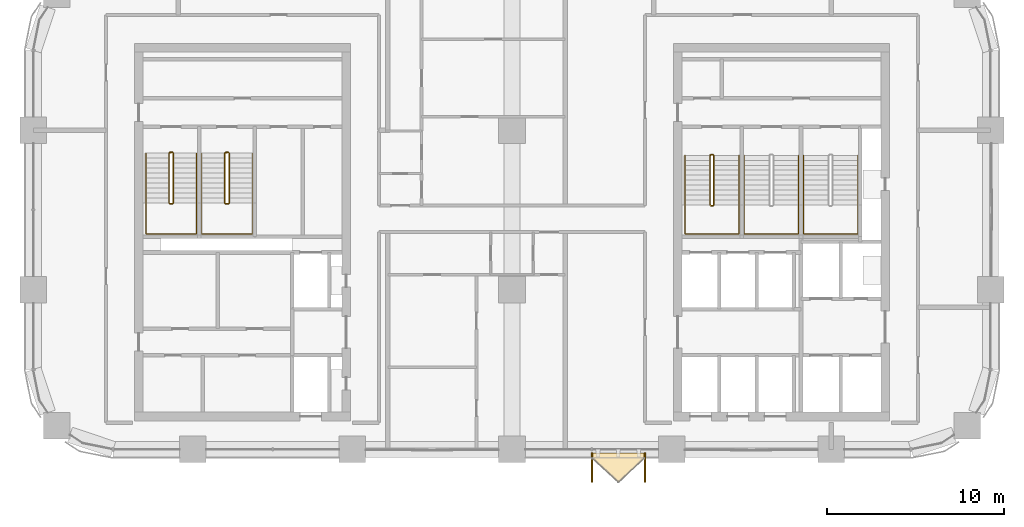
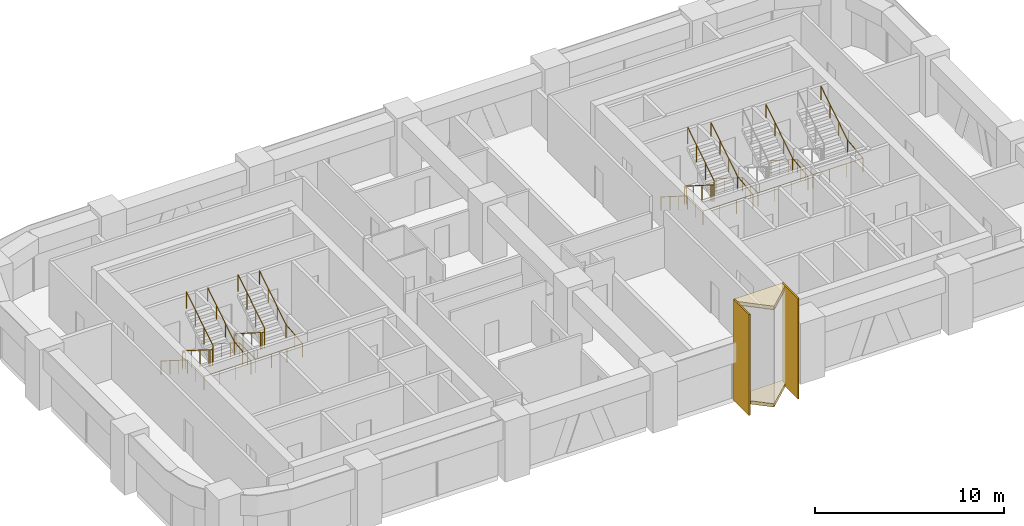
# One storey, part 13 of 14: 8 railings, 4 coverings.
"""IFC4 building model written with IfcOpenShell, lengths in metres."""

from ifc_helpers import new_model, si_unit, direction, frame, origin, origin_2d, place, context, subcontext, project, spatial, polyline, circle, outline, extrude, material, layer, layer_set, type_object, element, save


model = new_model("IFC4")

# Units and contexts
model_context = context("Model", 3, precision=1e-05, world=origin(), true_north=direction((0.0, 1.0)))
body_context = subcontext(model_context, "Body", "Model", "MODEL_VIEW")
ifc_project = project(units=[si_unit("LENGTHUNIT", "METRE"), si_unit("AREAUNIT", "SQUARE_METRE"), si_unit("VOLUMEUNIT", "CUBIC_METRE"), si_unit("PLANEANGLEUNIT", "RADIAN"), si_unit("MASSUNIT", "GRAM", prefix="KILO")], contexts=[model_context])

# Site, building, storey
site_placement = place(None, origin())
site = spatial("IfcSite", under=ifc_project, at=site_placement, CompositionType="ELEMENT")
building_placement = place(site_placement, origin())
building = spatial("IfcBuilding", under=site, at=building_placement, Name="Tessera Arch", CompositionType="ELEMENT")
storey_placement = place(building_placement, frame((0.0, 0.0, 134.89990234375)))
storey = spatial("IfcBuildingStorey", under=building, at=storey_placement, Name="L31", CompositionType="ELEMENT", Elevation=134.89990234375)

# Railings
ifc_material_1 = material(Name="Painted steel balustrade", Category="steel")
railing_type_1 = type_object("IfcRailingType", Name="Stair guard 1100", PredefinedType="GUARDRAIL", material=ifc_material_1)
railing_1_placement = place(storey_placement, frame((38.219970703125, 43.6298828125, 0.0)))
element("IfcRailing", 1, at=railing_1_placement, inside=storey, type_object=railing_type_1, Name="L31 S1a stair guard 1", PredefinedType="GUARDRAIL", context=body_context, shape_type="SweptSolid", body=[
    extrude(circle(Radius=0.02392578125, at=origin_2d()), frame((-0.00390625, 0.0, 1.076171875), z_axis=(1.0, 0.0, 0.0), x_axis=(0.0, 1.0, 0.0)), (0.0, 0.0, 1.0), 0.1181640625),
    extrude(circle(Radius=0.02392578125, at=origin_2d()), frame((0.11279296875, 0.000732421875, 1.0732421875), z_axis=(-0.655842288892, -0.203950955692, 0.72682521955), x_axis=(0.296948579431, -0.954893471113, 0.0)), (0.0, 0.0, 1.0), 0.252197265625),
    extrude(circle(Radius=0.02392578125, at=origin_2d()), frame((-0.050048828125, -0.04638671875, 1.25146484375), z_axis=(0.0, -0.844908973607, 0.534910110503), x_axis=(1.0, 0.0, 0.0)), (0.0, 0.0, 1.0), 3.322021484375),
    extrude(circle(Radius=0.02392578125, at=origin_2d()), frame((-0.052978515625, -2.846923828125, 3.0263671875), z_axis=(0.707106781187, -0.707106781187, 0.0), x_axis=(0.707106781187, 0.707106781187, 0.0)), (0.0, 0.0, 1.0), 0.078857421875),
    extrude(circle(Radius=0.02392578125, at=origin_2d()), frame((-0.00390625, -2.89990234375, 3.0263671875), z_axis=(1.0, 0.0, 0.0), x_axis=(0.0, 1.0, 0.0)), (0.0, 0.0, 1.0), 0.1181640625),
    extrude(circle(Radius=0.02392578125, at=origin_2d()), frame((0.109130859375, -2.90087890625, 3.0224609375), z_axis=(0.261041864531, 0.262321481514, 0.929001929653), x_axis=(-0.708833529934, 0.705375805398, 0.0)), (0.0, 0.0, 1.0), 0.19873046875),
    extrude(circle(Radius=0.02392578125, at=origin_2d()), frame((0.159912109375, -2.853271484375, 3.201416015625), z_axis=(0.0, 0.844908973607, 0.534910110503), x_axis=(-1.0, 0.0, 0.0)), (0.0, 0.0, 1.0), 3.322021484375),
    extrude(circle(Radius=0.02099609375, at=origin_2d()), origin(), (0.0, 0.0, 1.0), 1.06396484375),
    extrude(circle(Radius=0.02099609375, at=origin_2d()), frame((0.110107421875, 0.0, 0.0)), (0.0, 0.0, 1.0), 1.06396484375),
    extrude(circle(Radius=0.02099609375, at=origin_2d()), frame((-0.050048828125, -0.0498046875, 0.177490234375)), (0.0, 0.0, 1.0), 1.06396484375),
    extrude(circle(Radius=0.02099609375, at=origin_2d()), frame((-0.050048828125, -0.983154296875, 0.768310546875)), (0.0, 0.0, 1.0), 1.06396484375),
    extrude(circle(Radius=0.02099609375, at=origin_2d()), frame((-0.050048828125, -1.91650390625, 1.359375)), (0.0, 0.0, 1.0), 1.06396484375),
    extrude(circle(Radius=0.02099609375, at=origin_2d()), frame((-0.050048828125, -2.849853515625, 1.9501953125)), (0.0, 0.0, 1.0), 1.06396484375),
    extrude(circle(Radius=0.02099609375, at=origin_2d()), frame((0.0, -2.89990234375, 1.9501953125)), (0.0, 0.0, 1.0), 1.06396484375),
    extrude(circle(Radius=0.02099609375, at=origin_2d()), frame((0.110107421875, -2.89990234375, 1.9501953125)), (0.0, 0.0, 1.0), 1.06396484375),
    extrude(circle(Radius=0.02099609375, at=origin_2d()), frame((0.159912109375, -2.849853515625, 2.12744140625)), (0.0, 0.0, 1.0), 1.06396484375),
    extrude(circle(Radius=0.02099609375, at=origin_2d()), frame((0.159912109375, -1.91650390625, 2.71826171875)), (0.0, 0.0, 1.0), 1.06396484375),
    extrude(circle(Radius=0.02099609375, at=origin_2d()), frame((0.159912109375, -0.983154296875, 3.309326171875)), (0.0, 0.0, 1.0), 1.06396484375),
    extrude(circle(Radius=0.02099609375, at=origin_2d()), frame((0.159912109375, -0.0498046875, 3.900146484375)), (0.0, 0.0, 1.0), 1.06396484375),
])
railing_2_placement = place(storey_placement, frame((7.699951171875, 43.75, 0.0)))
element("IfcRailing", 2, at=railing_2_placement, inside=storey, type_object=railing_type_1, Name="L31 S2a stair guard 1", PredefinedType="GUARDRAIL", context=body_context, shape_type="SweptSolid", body=[
    extrude(circle(Radius=0.02392578125, at=origin_2d()), frame((-0.00390625, 0.0, 1.076171875), z_axis=(1.0, 0.0, 0.0), x_axis=(0.0, 1.0, 0.0)), (0.0, 0.0, 1.0), 0.158203125),
    extrude(circle(Radius=0.02392578125, at=origin_2d()), frame((0.153076171875, 0.000732421875, 1.073486328125), z_axis=(-0.735506176693, -0.183876544173, 0.652089012751), x_axis=(0.242535625036, -0.970142500145, 0.0)), (0.0, 0.0, 1.0), 0.2802734375),
    extrude(circle(Radius=0.02392578125, at=origin_2d()), frame((-0.050048828125, -0.046630859375, 1.25146484375), z_axis=(0.0, -0.844908973607, 0.534910110503), x_axis=(1.0, 0.0, 0.0)), (0.0, 0.0, 1.0), 3.322021484375),
    extrude(circle(Radius=0.02392578125, at=origin_2d()), frame((-0.052978515625, -2.84716796875, 3.0263671875), z_axis=(0.708833529934, -0.705375805398, 0.0), x_axis=(0.705375805398, 0.708833529934, 0.0)), (0.0, 0.0, 1.0), 0.07861328125),
    extrude(circle(Radius=0.02392578125, at=origin_2d()), frame((-0.00390625, -2.89990234375, 3.0263671875), z_axis=(1.0, 0.0, 0.0), x_axis=(0.0, 1.0, 0.0)), (0.0, 0.0, 1.0), 0.158203125),
    extrude(circle(Radius=0.02392578125, at=origin_2d()), frame((0.149169921875, -2.90087890625, 3.0224609375), z_axis=(0.261129318932, 0.261129318932, 0.929313164433), x_axis=(-0.707106781187, 0.707106781187, 0.0)), (0.0, 0.0, 1.0), 0.19873046875),
    extrude(circle(Radius=0.02392578125, at=origin_2d()), frame((0.199951171875, -2.853515625, 3.201416015625), z_axis=(0.0, 0.844908973607, 0.534910110503), x_axis=(-1.0, 0.0, 0.0)), (0.0, 0.0, 1.0), 3.322021484375),
    extrude(circle(Radius=0.02099609375, at=origin_2d()), origin(), (0.0, 0.0, 1.0), 1.06396484375),
    extrude(circle(Radius=0.02099609375, at=origin_2d()), frame((0.150146484375, 0.0, 0.0)), (0.0, 0.0, 1.0), 1.06396484375),
    extrude(circle(Radius=0.02099609375, at=origin_2d()), frame((-0.050048828125, -0.050048828125, 0.177490234375)), (0.0, 0.0, 1.0), 1.06396484375),
    extrude(circle(Radius=0.02099609375, at=origin_2d()), frame((-0.050048828125, -0.9833984375, 0.768310546875)), (0.0, 0.0, 1.0), 1.06396484375),
    extrude(circle(Radius=0.02099609375, at=origin_2d()), frame((-0.050048828125, -1.916748046875, 1.359375)), (0.0, 0.0, 1.0), 1.06396484375),
    extrude(circle(Radius=0.02099609375, at=origin_2d()), frame((-0.050048828125, -2.85009765625, 1.9501953125)), (0.0, 0.0, 1.0), 1.06396484375),
    extrude(circle(Radius=0.02099609375, at=origin_2d()), frame((0.0, -2.89990234375, 1.9501953125)), (0.0, 0.0, 1.0), 1.06396484375),
    extrude(circle(Radius=0.02099609375, at=origin_2d()), frame((0.150146484375, -2.89990234375, 1.9501953125)), (0.0, 0.0, 1.0), 1.06396484375),
    extrude(circle(Radius=0.02099609375, at=origin_2d()), frame((0.199951171875, -2.85009765625, 2.12744140625)), (0.0, 0.0, 1.0), 1.06396484375),
    extrude(circle(Radius=0.02099609375, at=origin_2d()), frame((0.199951171875, -1.916748046875, 2.71826171875)), (0.0, 0.0, 1.0), 1.06396484375),
    extrude(circle(Radius=0.02099609375, at=origin_2d()), frame((0.199951171875, -0.9833984375, 3.309326171875)), (0.0, 0.0, 1.0), 1.06396484375),
    extrude(circle(Radius=0.02099609375, at=origin_2d()), frame((0.199951171875, -0.050048828125, 3.900146484375)), (0.0, 0.0, 1.0), 1.06396484375),
])
railing_3_placement = place(storey_placement, frame((10.85009765625, 43.75, 0.0)))
element("IfcRailing", 3, at=railing_3_placement, inside=storey, type_object=railing_type_1, Name="L31 S2b stair guard 1", PredefinedType="GUARDRAIL", context=body_context, shape_type="SweptSolid", body=[
    extrude(circle(Radius=0.02392578125, at=origin_2d()), frame((-0.00390625, 0.0, 1.076171875), z_axis=(1.0, 0.0, 0.0), x_axis=(0.0, 1.0, 0.0)), (0.0, 0.0, 1.0), 0.157958984375),
    extrude(circle(Radius=0.02392578125, at=origin_2d()), frame((0.15283203125, 0.000732421875, 1.073486328125), z_axis=(-0.735094037398, -0.183997897029, 0.652519371414), x_axis=(0.242814311512, -0.970072785993, 0.0)), (0.0, 0.0, 1.0), 0.280029296875),
    extrude(circle(Radius=0.02392578125, at=origin_2d()), frame((-0.050048828125, -0.046630859375, 1.25146484375), z_axis=(0.0, -0.844908973607, 0.534910110503), x_axis=(1.0, 0.0, 0.0)), (0.0, 0.0, 1.0), 3.322021484375),
    extrude(circle(Radius=0.02392578125, at=origin_2d()), frame((-0.052978515625, -2.84716796875, 3.0263671875), z_axis=(0.708833529934, -0.705375805398, 0.0), x_axis=(0.705375805398, 0.708833529934, 0.0)), (0.0, 0.0, 1.0), 0.07861328125),
    extrude(circle(Radius=0.02392578125, at=origin_2d()), frame((-0.00390625, -2.89990234375, 3.0263671875), z_axis=(1.0, 0.0, 0.0), x_axis=(0.0, 1.0, 0.0)), (0.0, 0.0, 1.0), 0.157958984375),
    extrude(circle(Radius=0.02392578125, at=origin_2d()), frame((0.14892578125, -2.90087890625, 3.0224609375), z_axis=(0.262321481514, 0.261041864531, 0.929001929653), x_axis=(-0.705375805398, 0.708833529934, 0.0)), (0.0, 0.0, 1.0), 0.19873046875),
    extrude(circle(Radius=0.02392578125, at=origin_2d()), frame((0.199951171875, -2.853515625, 3.201416015625), z_axis=(0.0, 0.844908973607, 0.534910110503), x_axis=(-1.0, 0.0, 0.0)), (0.0, 0.0, 1.0), 3.322021484375),
    extrude(circle(Radius=0.02099609375, at=origin_2d()), origin(), (0.0, 0.0, 1.0), 1.06396484375),
    extrude(circle(Radius=0.02099609375, at=origin_2d()), frame((0.14990234375, 0.0, 0.0)), (0.0, 0.0, 1.0), 1.06396484375),
    extrude(circle(Radius=0.02099609375, at=origin_2d()), frame((-0.050048828125, -0.050048828125, 0.177490234375)), (0.0, 0.0, 1.0), 1.06396484375),
    extrude(circle(Radius=0.02099609375, at=origin_2d()), frame((-0.050048828125, -0.9833984375, 0.768310546875)), (0.0, 0.0, 1.0), 1.06396484375),
    extrude(circle(Radius=0.02099609375, at=origin_2d()), frame((-0.050048828125, -1.916748046875, 1.359375)), (0.0, 0.0, 1.0), 1.06396484375),
    extrude(circle(Radius=0.02099609375, at=origin_2d()), frame((-0.050048828125, -2.85009765625, 1.9501953125)), (0.0, 0.0, 1.0), 1.06396484375),
    extrude(circle(Radius=0.02099609375, at=origin_2d()), frame((0.0, -2.89990234375, 1.9501953125)), (0.0, 0.0, 1.0), 1.06396484375),
    extrude(circle(Radius=0.02099609375, at=origin_2d()), frame((0.14990234375, -2.89990234375, 1.9501953125)), (0.0, 0.0, 1.0), 1.06396484375),
    extrude(circle(Radius=0.02099609375, at=origin_2d()), frame((0.199951171875, -2.85009765625, 2.12744140625)), (0.0, 0.0, 1.0), 1.06396484375),
    extrude(circle(Radius=0.02099609375, at=origin_2d()), frame((0.199951171875, -1.916748046875, 2.71826171875)), (0.0, 0.0, 1.0), 1.06396484375),
    extrude(circle(Radius=0.02099609375, at=origin_2d()), frame((0.199951171875, -0.9833984375, 3.309326171875)), (0.0, 0.0, 1.0), 1.06396484375),
    extrude(circle(Radius=0.02099609375, at=origin_2d()), frame((0.199951171875, -0.050048828125, 3.900146484375)), (0.0, 0.0, 1.0), 1.06396484375),
])
ifc_material_2 = material(Name="Painted steel handrail", Category="steel")
railing_type_2 = type_object("IfcRailingType", Name="Stair handrail 900", PredefinedType="HANDRAIL", material=ifc_material_2)
railing_4_placement = place(storey_placement, frame((36.75, 43.580078125, 0.177490234375)))
element("IfcRailing", 4, at=railing_4_placement, inside=storey, type_object=railing_type_2, Name="L31 S1a stair handrail", PredefinedType="HANDRAIL", context=body_context, shape_type="SweptSolid", body=[
    extrude(circle(Radius=0.02392578125, at=origin_2d()), frame((0.0, 0.00341796875, 0.873779296875), z_axis=(0.0, -0.844908973607, 0.534910110503), x_axis=(1.0, 0.0, 0.0)), (0.0, 0.0, 1.0), 3.322021484375),
    extrude(circle(Radius=0.02392578125, at=origin_2d()), frame((0.0, -2.796142578125, 2.6484375), z_axis=(0.0, -1.0, 0.0), x_axis=(1.0, 0.0, 0.0)), (0.0, 0.0, 1.0), 1.63818359375),
    extrude(circle(Radius=0.02392578125, at=origin_2d()), frame((-0.00390625, -4.43017578125, 2.6484375), z_axis=(1.0, 0.0, 0.0), x_axis=(0.0, 1.0, 0.0)), (0.0, 0.0, 1.0), 3.05810546875),
    extrude(circle(Radius=0.02392578125, at=origin_2d()), frame((3.050048828125, -4.43408203125, 2.648193359375), z_axis=(0.0, 0.994140637614, 0.108094369164), x_axis=(-1.0, 0.0, 0.0)), (0.0, 0.0, 1.0), 1.647705078125),
    extrude(circle(Radius=0.02392578125, at=origin_2d()), frame((3.050048828125, -2.803466796875, 2.82373046875), z_axis=(0.0, 0.844908973607, 0.534910110503), x_axis=(-1.0, 0.0, 0.0)), (0.0, 0.0, 1.0), 3.322021484375),
    extrude(circle(Radius=0.02099609375, at=origin_2d()), origin(), (0.0, 0.0, 1.0), 0.86376953125),
    extrude(circle(Radius=0.02099609375, at=origin_2d()), frame((0.0, -0.933349609375, 0.5908203125)), (0.0, 0.0, 1.0), 0.86376953125),
    extrude(circle(Radius=0.02099609375, at=origin_2d()), frame((0.0, -1.86669921875, 1.181884765625)), (0.0, 0.0, 1.0), 0.86376953125),
    extrude(circle(Radius=0.02099609375, at=origin_2d()), frame((0.0, -2.800048828125, 1.772705078125)), (0.0, 0.0, 1.0), 0.86376953125),
    extrude(circle(Radius=0.02099609375, at=origin_2d()), frame((0.0, -3.615234375, 1.772705078125)), (0.0, 0.0, 1.0), 0.86376953125),
    extrude(circle(Radius=0.02099609375, at=origin_2d()), frame((0.0, -4.43017578125, 1.772705078125)), (0.0, 0.0, 1.0), 0.86376953125),
    extrude(circle(Radius=0.02099609375, at=origin_2d()), frame((1.0166015625, -4.43017578125, 1.772705078125)), (0.0, 0.0, 1.0), 0.86376953125),
    extrude(circle(Radius=0.02099609375, at=origin_2d()), frame((2.033447265625, -4.43017578125, 1.772705078125)), (0.0, 0.0, 1.0), 0.86376953125),
    extrude(circle(Radius=0.02099609375, at=origin_2d()), frame((3.050048828125, -4.43017578125, 1.772705078125)), (0.0, 0.0, 1.0), 0.86376953125),
    extrude(circle(Radius=0.02099609375, at=origin_2d()), frame((3.050048828125, -3.615234375, 1.861328125)), (0.0, 0.0, 1.0), 0.86376953125),
    extrude(circle(Radius=0.02099609375, at=origin_2d()), frame((3.050048828125, -2.800048828125, 1.949951171875)), (0.0, 0.0, 1.0), 0.86376953125),
    extrude(circle(Radius=0.02099609375, at=origin_2d()), frame((3.050048828125, -1.86669921875, 2.540771484375)), (0.0, 0.0, 1.0), 0.86376953125),
    extrude(circle(Radius=0.02099609375, at=origin_2d()), frame((3.050048828125, -0.933349609375, 3.1318359375)), (0.0, 0.0, 1.0), 0.86376953125),
    extrude(circle(Radius=0.02099609375, at=origin_2d()), frame((3.050048828125, 0.0, 3.72265625)), (0.0, 0.0, 1.0), 0.86376953125),
])
railing_5_placement = place(storey_placement, frame((40.10009765625, 43.580078125, 0.177490234375)))
element("IfcRailing", 5, at=railing_5_placement, inside=storey, type_object=railing_type_2, Name="L31 S1b stair handrail", PredefinedType="HANDRAIL", context=body_context, shape_type="SweptSolid", body=[
    extrude(circle(Radius=0.02392578125, at=origin_2d()), frame((0.0, 0.00341796875, 0.873779296875), z_axis=(0.0, -0.844908973607, 0.534910110503), x_axis=(1.0, 0.0, 0.0)), (0.0, 0.0, 1.0), 3.322021484375),
    extrude(circle(Radius=0.02392578125, at=origin_2d()), frame((0.0, -2.796142578125, 2.6484375), z_axis=(0.0, -1.0, 0.0), x_axis=(1.0, 0.0, 0.0)), (0.0, 0.0, 1.0), 1.63818359375),
    extrude(circle(Radius=0.02392578125, at=origin_2d()), frame((-0.00390625, -4.43017578125, 2.6484375), z_axis=(1.0, 0.0, 0.0), x_axis=(0.0, 1.0, 0.0)), (0.0, 0.0, 1.0), 3.057861328125),
    extrude(circle(Radius=0.02392578125, at=origin_2d()), frame((3.0498046875, -4.43408203125, 2.648193359375), z_axis=(0.0, 0.994140637614, 0.108094369164), x_axis=(-1.0, 0.0, 0.0)), (0.0, 0.0, 1.0), 1.647705078125),
    extrude(circle(Radius=0.02392578125, at=origin_2d()), frame((3.0498046875, -2.803466796875, 2.82373046875), z_axis=(0.0, 0.844908973607, 0.534910110503), x_axis=(-1.0, 0.0, 0.0)), (0.0, 0.0, 1.0), 3.322021484375),
    extrude(circle(Radius=0.02099609375, at=origin_2d()), origin(), (0.0, 0.0, 1.0), 0.86376953125),
    extrude(circle(Radius=0.02099609375, at=origin_2d()), frame((0.0, -0.933349609375, 0.5908203125)), (0.0, 0.0, 1.0), 0.86376953125),
    extrude(circle(Radius=0.02099609375, at=origin_2d()), frame((0.0, -1.86669921875, 1.181884765625)), (0.0, 0.0, 1.0), 0.86376953125),
    extrude(circle(Radius=0.02099609375, at=origin_2d()), frame((0.0, -2.800048828125, 1.772705078125)), (0.0, 0.0, 1.0), 0.86376953125),
    extrude(circle(Radius=0.02099609375, at=origin_2d()), frame((0.0, -3.615234375, 1.772705078125)), (0.0, 0.0, 1.0), 0.86376953125),
    extrude(circle(Radius=0.02099609375, at=origin_2d()), frame((0.0, -4.43017578125, 1.772705078125)), (0.0, 0.0, 1.0), 0.86376953125),
    extrude(circle(Radius=0.02099609375, at=origin_2d()), frame((1.0166015625, -4.43017578125, 1.772705078125)), (0.0, 0.0, 1.0), 0.86376953125),
    extrude(circle(Radius=0.02099609375, at=origin_2d()), frame((2.033203125, -4.43017578125, 1.772705078125)), (0.0, 0.0, 1.0), 0.86376953125),
    extrude(circle(Radius=0.02099609375, at=origin_2d()), frame((3.0498046875, -4.43017578125, 1.772705078125)), (0.0, 0.0, 1.0), 0.86376953125),
    extrude(circle(Radius=0.02099609375, at=origin_2d()), frame((3.0498046875, -3.615234375, 1.861328125)), (0.0, 0.0, 1.0), 0.86376953125),
    extrude(circle(Radius=0.02099609375, at=origin_2d()), frame((3.0498046875, -2.800048828125, 1.949951171875)), (0.0, 0.0, 1.0), 0.86376953125),
    extrude(circle(Radius=0.02099609375, at=origin_2d()), frame((3.0498046875, -1.86669921875, 2.540771484375)), (0.0, 0.0, 1.0), 0.86376953125),
    extrude(circle(Radius=0.02099609375, at=origin_2d()), frame((3.0498046875, -0.933349609375, 3.1318359375)), (0.0, 0.0, 1.0), 0.86376953125),
    extrude(circle(Radius=0.02099609375, at=origin_2d()), frame((3.0498046875, 0.0, 3.72265625)), (0.0, 0.0, 1.0), 0.86376953125),
])
railing_6_placement = place(storey_placement, frame((43.449951171875, 43.580078125, 0.177490234375)))
element("IfcRailing", 6, at=railing_6_placement, inside=storey, type_object=railing_type_2, Name="L31 S1c stair handrail", PredefinedType="HANDRAIL", context=body_context, shape_type="SweptSolid", body=[
    extrude(circle(Radius=0.02392578125, at=origin_2d()), frame((0.0, 0.00341796875, 0.873779296875), z_axis=(0.0, -0.844908973607, 0.534910110503), x_axis=(1.0, 0.0, 0.0)), (0.0, 0.0, 1.0), 3.322021484375),
    extrude(circle(Radius=0.02392578125, at=origin_2d()), frame((0.0, -2.796142578125, 2.6484375), z_axis=(0.0, -1.0, 0.0), x_axis=(1.0, 0.0, 0.0)), (0.0, 0.0, 1.0), 1.63818359375),
    extrude(circle(Radius=0.02392578125, at=origin_2d()), frame((-0.00390625, -4.43017578125, 2.6484375), z_axis=(1.0, 0.0, 0.0), x_axis=(0.0, 1.0, 0.0)), (0.0, 0.0, 1.0), 3.05810546875),
    extrude(circle(Radius=0.02392578125, at=origin_2d()), frame((3.050048828125, -4.43408203125, 2.648193359375), z_axis=(0.0, 0.994140637614, 0.108094369164), x_axis=(-1.0, 0.0, 0.0)), (0.0, 0.0, 1.0), 1.647705078125),
    extrude(circle(Radius=0.02392578125, at=origin_2d()), frame((3.050048828125, -2.803466796875, 2.82373046875), z_axis=(0.0, 0.844908973607, 0.534910110503), x_axis=(-1.0, 0.0, 0.0)), (0.0, 0.0, 1.0), 3.322021484375),
    extrude(circle(Radius=0.02099609375, at=origin_2d()), origin(), (0.0, 0.0, 1.0), 0.86376953125),
    extrude(circle(Radius=0.02099609375, at=origin_2d()), frame((0.0, -0.933349609375, 0.5908203125)), (0.0, 0.0, 1.0), 0.86376953125),
    extrude(circle(Radius=0.02099609375, at=origin_2d()), frame((0.0, -1.86669921875, 1.181884765625)), (0.0, 0.0, 1.0), 0.86376953125),
    extrude(circle(Radius=0.02099609375, at=origin_2d()), frame((0.0, -2.800048828125, 1.772705078125)), (0.0, 0.0, 1.0), 0.86376953125),
    extrude(circle(Radius=0.02099609375, at=origin_2d()), frame((0.0, -3.615234375, 1.772705078125)), (0.0, 0.0, 1.0), 0.86376953125),
    extrude(circle(Radius=0.02099609375, at=origin_2d()), frame((0.0, -4.43017578125, 1.772705078125)), (0.0, 0.0, 1.0), 0.86376953125),
    extrude(circle(Radius=0.02099609375, at=origin_2d()), frame((1.0166015625, -4.43017578125, 1.772705078125)), (0.0, 0.0, 1.0), 0.86376953125),
    extrude(circle(Radius=0.02099609375, at=origin_2d()), frame((2.033447265625, -4.43017578125, 1.772705078125)), (0.0, 0.0, 1.0), 0.86376953125),
    extrude(circle(Radius=0.02099609375, at=origin_2d()), frame((3.050048828125, -4.43017578125, 1.772705078125)), (0.0, 0.0, 1.0), 0.86376953125),
    extrude(circle(Radius=0.02099609375, at=origin_2d()), frame((3.050048828125, -3.615234375, 1.861328125)), (0.0, 0.0, 1.0), 0.86376953125),
    extrude(circle(Radius=0.02099609375, at=origin_2d()), frame((3.050048828125, -2.800048828125, 1.949951171875)), (0.0, 0.0, 1.0), 0.86376953125),
    extrude(circle(Radius=0.02099609375, at=origin_2d()), frame((3.050048828125, -1.86669921875, 2.540771484375)), (0.0, 0.0, 1.0), 0.86376953125),
    extrude(circle(Radius=0.02099609375, at=origin_2d()), frame((3.050048828125, -0.933349609375, 3.1318359375)), (0.0, 0.0, 1.0), 0.86376953125),
    extrude(circle(Radius=0.02099609375, at=origin_2d()), frame((3.050048828125, 0.0, 3.72265625)), (0.0, 0.0, 1.0), 0.86376953125),
])
railing_7_placement = place(storey_placement, frame((6.35009765625, 43.699951171875, 0.177490234375)))
element("IfcRailing", 7, at=railing_7_placement, inside=storey, type_object=railing_type_2, Name="L31 S2a stair handrail", PredefinedType="HANDRAIL", context=body_context, shape_type="SweptSolid", body=[
    extrude(circle(Radius=0.02392578125, at=origin_2d()), frame((0.0, 0.00341796875, 0.873779296875), z_axis=(0.0, -0.844908973607, 0.534910110503), x_axis=(1.0, 0.0, 0.0)), (0.0, 0.0, 1.0), 3.322021484375),
    extrude(circle(Radius=0.02392578125, at=origin_2d()), frame((0.0, -2.796142578125, 2.6484375), z_axis=(0.0, -1.0, 0.0), x_axis=(1.0, 0.0, 0.0)), (0.0, 0.0, 1.0), 1.758056640625),
    extrude(circle(Radius=0.02392578125, at=origin_2d()), frame((-0.00390625, -4.550048828125, 2.6484375), z_axis=(1.0, 0.0, 0.0), x_axis=(0.0, 1.0, 0.0)), (0.0, 0.0, 1.0), 2.85791015625),
    extrude(circle(Radius=0.02392578125, at=origin_2d()), frame((2.849853515625, -4.553955078125, 2.648193359375), z_axis=(0.0, 0.994909956378, 0.100767944801), x_axis=(-1.0, 0.0, 0.0)), (0.0, 0.0, 1.0), 1.766845703125),
    extrude(circle(Radius=0.02392578125, at=origin_2d()), frame((2.849853515625, -2.803466796875, 2.82373046875), z_axis=(0.0, 0.844908973607, 0.534910110503), x_axis=(-1.0, 0.0, 0.0)), (0.0, 0.0, 1.0), 3.322021484375),
    extrude(circle(Radius=0.02099609375, at=origin_2d()), origin(), (0.0, 0.0, 1.0), 0.86376953125),
    extrude(circle(Radius=0.02099609375, at=origin_2d()), frame((0.0, -0.933349609375, 0.5908203125)), (0.0, 0.0, 1.0), 0.86376953125),
    extrude(circle(Radius=0.02099609375, at=origin_2d()), frame((0.0, -1.86669921875, 1.181884765625)), (0.0, 0.0, 1.0), 0.86376953125),
    extrude(circle(Radius=0.02099609375, at=origin_2d()), frame((0.0, -2.800048828125, 1.772705078125)), (0.0, 0.0, 1.0), 0.86376953125),
    extrude(circle(Radius=0.02099609375, at=origin_2d()), frame((0.0, -3.675048828125, 1.772705078125)), (0.0, 0.0, 1.0), 0.86376953125),
    extrude(circle(Radius=0.02099609375, at=origin_2d()), frame((0.0, -4.550048828125, 1.772705078125)), (0.0, 0.0, 1.0), 0.86376953125),
    extrude(circle(Radius=0.02099609375, at=origin_2d()), frame((0.949951171875, -4.550048828125, 1.772705078125)), (0.0, 0.0, 1.0), 0.86376953125),
    extrude(circle(Radius=0.02099609375, at=origin_2d()), frame((1.89990234375, -4.550048828125, 1.772705078125)), (0.0, 0.0, 1.0), 0.86376953125),
    extrude(circle(Radius=0.02099609375, at=origin_2d()), frame((2.849853515625, -4.550048828125, 1.772705078125)), (0.0, 0.0, 1.0), 0.86376953125),
    extrude(circle(Radius=0.02099609375, at=origin_2d()), frame((2.849853515625, -3.675048828125, 1.861328125)), (0.0, 0.0, 1.0), 0.86376953125),
    extrude(circle(Radius=0.02099609375, at=origin_2d()), frame((2.849853515625, -2.800048828125, 1.949951171875)), (0.0, 0.0, 1.0), 0.86376953125),
    extrude(circle(Radius=0.02099609375, at=origin_2d()), frame((2.849853515625, -1.86669921875, 2.540771484375)), (0.0, 0.0, 1.0), 0.86376953125),
    extrude(circle(Radius=0.02099609375, at=origin_2d()), frame((2.849853515625, -0.933349609375, 3.1318359375)), (0.0, 0.0, 1.0), 0.86376953125),
    extrude(circle(Radius=0.02099609375, at=origin_2d()), frame((2.849853515625, 0.0, 3.72265625)), (0.0, 0.0, 1.0), 0.86376953125),
])
railing_8_placement = place(storey_placement, frame((9.5, 43.699951171875, 0.177490234375)))
element("IfcRailing", 8, at=railing_8_placement, inside=storey, type_object=railing_type_2, Name="L31 S2b stair handrail", PredefinedType="HANDRAIL", context=body_context, shape_type="SweptSolid", body=[
    extrude(circle(Radius=0.02392578125, at=origin_2d()), frame((0.0, 0.00341796875, 0.873779296875), z_axis=(0.0, -0.844908973607, 0.534910110503), x_axis=(1.0, 0.0, 0.0)), (0.0, 0.0, 1.0), 3.322021484375),
    extrude(circle(Radius=0.02392578125, at=origin_2d()), frame((0.0, -2.796142578125, 2.6484375), z_axis=(0.0, -1.0, 0.0), x_axis=(1.0, 0.0, 0.0)), (0.0, 0.0, 1.0), 1.758056640625),
    extrude(circle(Radius=0.02392578125, at=origin_2d()), frame((-0.00390625, -4.550048828125, 2.6484375), z_axis=(1.0, 0.0, 0.0), x_axis=(0.0, 1.0, 0.0)), (0.0, 0.0, 1.0), 2.858154296875),
    extrude(circle(Radius=0.02392578125, at=origin_2d()), frame((2.85009765625, -4.553955078125, 2.648193359375), z_axis=(0.0, 0.994909956378, 0.100767944801), x_axis=(-1.0, 0.0, 0.0)), (0.0, 0.0, 1.0), 1.766845703125),
    extrude(circle(Radius=0.02392578125, at=origin_2d()), frame((2.85009765625, -2.803466796875, 2.82373046875), z_axis=(0.0, 0.844908973607, 0.534910110503), x_axis=(-1.0, 0.0, 0.0)), (0.0, 0.0, 1.0), 3.322021484375),
    extrude(circle(Radius=0.02099609375, at=origin_2d()), origin(), (0.0, 0.0, 1.0), 0.86376953125),
    extrude(circle(Radius=0.02099609375, at=origin_2d()), frame((0.0, -0.933349609375, 0.5908203125)), (0.0, 0.0, 1.0), 0.86376953125),
    extrude(circle(Radius=0.02099609375, at=origin_2d()), frame((0.0, -1.86669921875, 1.181884765625)), (0.0, 0.0, 1.0), 0.86376953125),
    extrude(circle(Radius=0.02099609375, at=origin_2d()), frame((0.0, -2.800048828125, 1.772705078125)), (0.0, 0.0, 1.0), 0.86376953125),
    extrude(circle(Radius=0.02099609375, at=origin_2d()), frame((0.0, -3.675048828125, 1.772705078125)), (0.0, 0.0, 1.0), 0.86376953125),
    extrude(circle(Radius=0.02099609375, at=origin_2d()), frame((0.0, -4.550048828125, 1.772705078125)), (0.0, 0.0, 1.0), 0.86376953125),
    extrude(circle(Radius=0.02099609375, at=origin_2d()), frame((0.949951171875, -4.550048828125, 1.772705078125)), (0.0, 0.0, 1.0), 0.86376953125),
    extrude(circle(Radius=0.02099609375, at=origin_2d()), frame((1.900146484375, -4.550048828125, 1.772705078125)), (0.0, 0.0, 1.0), 0.86376953125),
    extrude(circle(Radius=0.02099609375, at=origin_2d()), frame((2.85009765625, -4.550048828125, 1.772705078125)), (0.0, 0.0, 1.0), 0.86376953125),
    extrude(circle(Radius=0.02099609375, at=origin_2d()), frame((2.85009765625, -3.675048828125, 1.861328125)), (0.0, 0.0, 1.0), 0.86376953125),
    extrude(circle(Radius=0.02099609375, at=origin_2d()), frame((2.85009765625, -2.800048828125, 1.949951171875)), (0.0, 0.0, 1.0), 0.86376953125),
    extrude(circle(Radius=0.02099609375, at=origin_2d()), frame((2.85009765625, -1.86669921875, 2.540771484375)), (0.0, 0.0, 1.0), 0.86376953125),
    extrude(circle(Radius=0.02099609375, at=origin_2d()), frame((2.85009765625, -0.933349609375, 3.1318359375)), (0.0, 0.0, 1.0), 0.86376953125),
    extrude(circle(Radius=0.02099609375, at=origin_2d()), frame((2.85009765625, 0.0, 3.72265625)), (0.0, 0.0, 1.0), 0.86376953125),
])

# Coverings
ifc_material_3 = material(Name="Anodised aluminium pale metal", Category="aluminium")
ifc_layer_1 = layer(ifc_material_3, 0.080078125)
ifc_layer_set_1 = layer_set([ifc_layer_1], Name="Window box cheek")
covering_type_1 = type_object("IfcCoveringType", Name="Window box cheek", PredefinedType="CLADDING", material=ifc_layer_set_1)
covering_1_placement = place(storey_placement, origin())
element("IfcCovering", 9, at=covering_1_placement, inside=storey, type_object=covering_type_1, Name="Window box S27.0/3.1 1x2 cheek", PredefinedType="CLADDING", context=body_context, shape_type="SweptSolid", body=[
    extrude(outline(polyline([(31.469970703125, 25.14990234375), (31.550048828125, 25.14990234375), (31.550048828125, 26.800048828125), (31.469970703125, 26.800048828125), (31.469970703125, 25.14990234375)])), origin(), (0.0, 0.0, 1.0), 6.5),
])
covering_2_placement = place(storey_placement, origin())
element("IfcCovering", 10, at=covering_2_placement, inside=storey, type_object=covering_type_1, Name="Window box S27.0/3.1 1x2 cheek", PredefinedType="CLADDING", context=body_context, shape_type="SweptSolid", body=[
    extrude(outline(polyline([(34.449951171875, 25.14990234375), (34.530029296875, 25.14990234375), (34.530029296875, 26.800048828125), (34.449951171875, 26.800048828125), (34.449951171875, 25.14990234375)])), origin(), (0.0, 0.0, 1.0), 6.5),
])
ifc_material_4 = material(Name="Anodised aluminium pale metal", Category="aluminium")
ifc_layer_2 = layer(ifc_material_4, 0.219970703125)
ifc_layer_set_2 = layer_set([ifc_layer_2], Name="Window box frame plate pale metal")
covering_type_2 = type_object("IfcCoveringType", Name="Window box frame plate pale metal", PredefinedType="CLADDING", material=ifc_layer_set_2)
covering_3_placement = place(storey_placement, origin())
element("IfcCovering", 11, at=covering_3_placement, inside=storey, type_object=covering_type_2, Name="Window box S27.0/3.1 1x2 floor", PredefinedType="CLADDING", context=body_context, shape_type="SweptSolid", body=[
    extrude(outline(polyline([(31.550048828125, 26.489990234375), (33.0, 25.14990234375), (34.449951171875, 26.489990234375), (34.449951171875, 26.800048828125), (31.550048828125, 26.800048828125), (31.550048828125, 26.489990234375)])), origin(), (0.0, 0.0, 1.0), 0.22021484375),
])
covering_4_placement = place(storey_placement, frame((0.0, 0.0, 6.280029296875)))
element("IfcCovering", 12, at=covering_4_placement, inside=storey, type_object=covering_type_2, Name="Window box S27.0/3.1 1x2 roof", PredefinedType="CLADDING", context=body_context, shape_type="SweptSolid", body=[
    extrude(outline(polyline([(31.550048828125, 26.489990234375), (33.0, 25.14990234375), (34.449951171875, 26.489990234375), (34.449951171875, 26.800048828125), (31.550048828125, 26.800048828125), (31.550048828125, 26.489990234375)])), origin(), (0.0, 0.0, 1.0), 0.219970703125),
])

save(model, "model.ifc")
